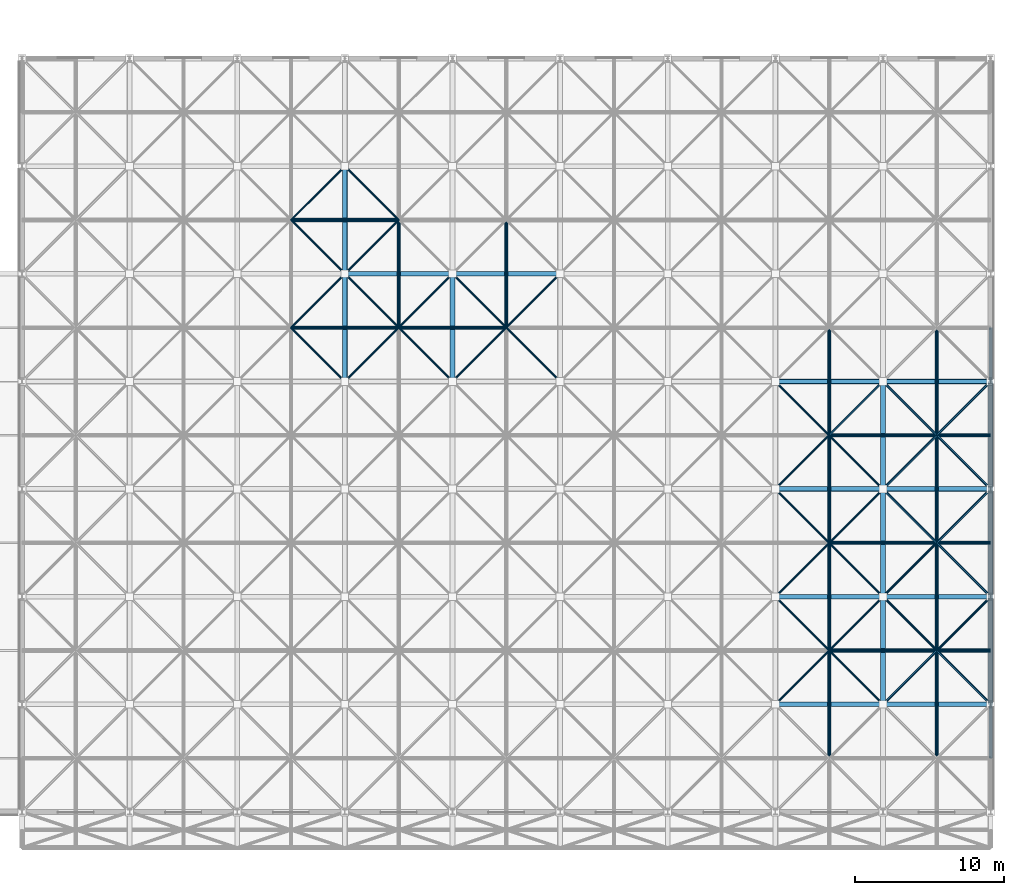
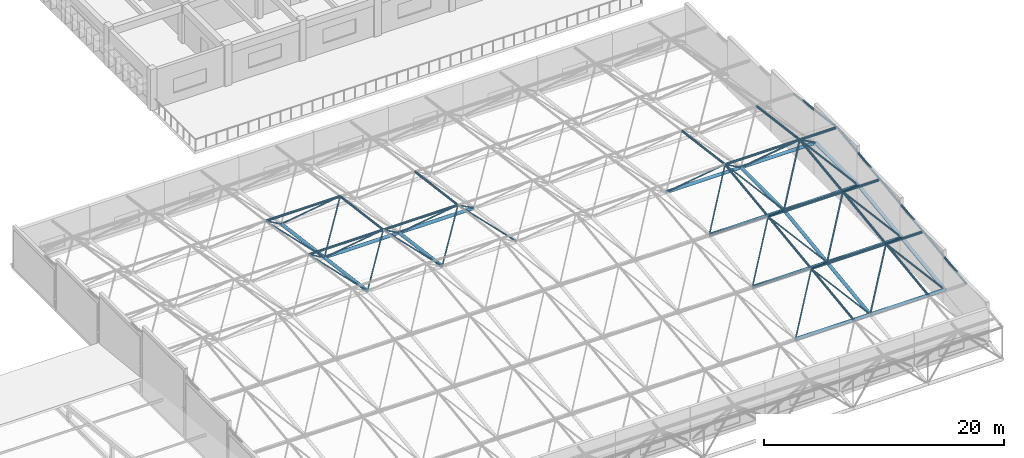
# One storey, part 55 of 103: 80 members.
"""IFC4 building model written with IfcOpenShell, lengths in metres."""

from ifc_helpers import new_model, si_unit, direction, frame, origin, origin_2d, place, context, subcontext, project, spatial, hollow_circle, extrude, material, material_profile, profile_set, type_object, element, save


model = new_model("IFC4")

# Units and contexts
model_context = context("Model", 3, precision=1e-05, world=origin(), true_north=direction((0.0, 1.0)))
body_context = subcontext(model_context, "Body", "Model", "MODEL_VIEW")
ifc_project = project(units=[si_unit("LENGTHUNIT", "METRE"), si_unit("AREAUNIT", "SQUARE_METRE"), si_unit("VOLUMEUNIT", "CUBIC_METRE"), si_unit("PLANEANGLEUNIT", "RADIAN"), si_unit("MASSUNIT", "GRAM", prefix="KILO")], contexts=[model_context])

# Site, building, storey
site_placement = place(None, origin())
site = spatial("IfcSite", under=ifc_project, at=site_placement, CompositionType="ELEMENT")
building_placement = place(site_placement, origin())
building = spatial("IfcBuilding", under=site, at=building_placement, Name="Thalmaran Polytechnic", CompositionType="ELEMENT")
storey_placement = place(building_placement, frame((0.0, 0.0, 14.39990234375)))
storey = spatial("IfcBuildingStorey", under=building, at=storey_placement, Name="L03", CompositionType="ELEMENT", Elevation=14.39990234375)

# Members
ifc_material = material(Name="Steel S355", Category="steel")
ifc_material_profile_1 = material_profile(ifc_material, hollow_circle(Radius=0.161865234375, WallThickness=0.012451171875, at=origin_2d()), Name="CHS 323.9x12.5")
ifc_profile_set_1 = profile_set([ifc_material_profile_1], Name="Steel S355")
member_type_1 = type_object("IfcMemberType", Name="MB-SFC0", PredefinedType="CHORD", material=ifc_profile_set_1)
member_1_placement = place(storey_placement, frame((158.39990234375, 21.60009765625, 3.223876953125), z_axis=(1.0, 0.0, 0.0), x_axis=(0.0, 1.0, 0.0)))
element("IfcMember", 1, at=member_1_placement, inside=storey, type_object=member_type_1, Name="Space-Frame Bottom Chord X (7,4)", PredefinedType="CHORD", context=body_context, shape_type="SweptSolid", body=[
    extrude(hollow_circle(Radius=0.161865234375, WallThickness=0.012451171875, at=origin_2d()), origin(), (0.0, 0.0, 1.0), 7.2001953125),
])
member_2_placement = place(storey_placement, frame((165.60009765625, 21.60009765625, 3.223876953125), z_axis=(1.0, 0.0, 0.0), x_axis=(0.0, 1.0, 0.0)))
element("IfcMember", 2, at=member_2_placement, inside=storey, type_object=member_type_1, Name="Space-Frame Bottom Chord X (8,4)", PredefinedType="CHORD", context=body_context, shape_type="SweptSolid", body=[
    extrude(hollow_circle(Radius=0.161865234375, WallThickness=0.012451171875, at=origin_2d()), origin(), (0.0, 0.0, 1.0), 7.199951171875),
])
member_3_placement = place(storey_placement, frame((172.800048828125, 7.199951171875, 1.327880859375), z_axis=(0.0, 0.991442963585, 0.130540606544), x_axis=(-1.0, 0.0, 0.0)))
element("IfcMember", 3, at=member_3_placement, inside=storey, type_object=member_type_1, Name="Space-Frame Bottom Chord Y (9,2)", PredefinedType="CHORD", context=body_context, shape_type="SweptSolid", body=[
    extrude(hollow_circle(Radius=0.161865234375, WallThickness=0.012451171875, at=origin_2d()), origin(), (0.0, 0.0, 1.0), 7.26220703125),
])
member_4_placement = place(storey_placement, frame((172.800048828125, 14.39990234375, 2.27587890625), z_axis=(0.0, 0.991443536444, 0.130536255663), x_axis=(-1.0, 0.0, 0.0)))
element("IfcMember", 4, at=member_4_placement, inside=storey, type_object=member_type_1, Name="Space-Frame Bottom Chord Y (9,3)", PredefinedType="CHORD", context=body_context, shape_type="SweptSolid", body=[
    extrude(hollow_circle(Radius=0.161865234375, WallThickness=0.012451171875, at=origin_2d()), origin(), (0.0, 0.0, 1.0), 7.262451171875),
])
member_5_placement = place(storey_placement, frame((172.800048828125, 21.60009765625, 3.223876953125), z_axis=(0.0, 1.0, 0.0), x_axis=(-1.0, 0.0, 0.0)))
element("IfcMember", 5, at=member_5_placement, inside=storey, type_object=member_type_1, Name="Space-Frame Bottom Chord Y (9,4)", PredefinedType="CHORD", context=body_context, shape_type="SweptSolid", body=[
    extrude(hollow_circle(Radius=0.161865234375, WallThickness=0.012451171875, at=origin_2d()), origin(), (0.0, 0.0, 1.0), 7.199951171875),
])
ifc_material_profile_2 = material_profile(ifc_material, hollow_circle(Radius=0.122314453125, WallThickness=0.010009765625, at=origin_2d()), Name="CHS 244.5x10.0")
ifc_profile_set_2 = profile_set([ifc_material_profile_2], Name="Steel S355")
member_type_2 = type_object("IfcMemberType", Name="MB-SFC1", PredefinedType="CHORD", material=ifc_profile_set_2)
for number, where, z_axis, x_axis, name in (
    (6, (126.0, 32.39990234375, 6.019775390625), (1.0, 0.0, 0.0), (0.0, 1.0, 0.0), "Space-Frame Top Chord X (3,6)"),
    (7, (126.0, 39.60009765625, 5.072021484375), (1.0, 0.0, 0.0), (0.0, 1.0, 0.0), "Space-Frame Top Chord X (3,7)"),
    (8, (133.199951171875, 32.39990234375, 6.019775390625), (1.0, 0.0, 0.0), (0.0, 1.0, 0.0), "Space-Frame Top Chord X (4,6)"),
    (9, (162.0, 10.800048828125, 5.072021484375), (1.0, 0.0, 0.0), (0.0, 1.0, 0.0), "Space-Frame Top Chord X (8,3)"),
    (10, (162.0, 18.0, 6.019775390625), (1.0, 0.0, 0.0), (0.0, 1.0, 0.0), "Space-Frame Top Chord X (8,4)"),
    (11, (162.0, 25.199951171875, 6.9677734375), (1.0, 0.0, 0.0), (0.0, 1.0, 0.0), "Space-Frame Top Chord X (8,5)"),
):
    element("IfcMember", number, at=place(storey_placement, frame(where, z_axis=z_axis, x_axis=x_axis)), inside=storey, type_object=member_type_2, Name=name, PredefinedType="CHORD", context=body_context, shape_type="SweptSolid", body=[
        extrude(hollow_circle(Radius=0.122314453125, WallThickness=0.010009765625, at=origin_2d()), origin(), (0.0, 0.0, 1.0), 7.199951171875),
    ])
for number, where, z_axis, x_axis, name in (
    (12, (169.199951171875, 10.800048828125, 5.072021484375), (1.0, 0.0, 0.0), (0.0, 1.0, 0.0), "Space-Frame Top Chord X (9,3)"),
    (13, (169.199951171875, 18.0, 6.019775390625), (1.0, 0.0, 0.0), (0.0, 1.0, 0.0), "Space-Frame Top Chord X (9,4)"),
    (14, (169.199951171875, 25.199951171875, 6.9677734375), (1.0, 0.0, 0.0), (0.0, 1.0, 0.0), "Space-Frame Top Chord X (9,5)"),
):
    element("IfcMember", number, at=place(storey_placement, frame(where, z_axis=z_axis, x_axis=x_axis)), inside=storey, type_object=member_type_2, Name=name, PredefinedType="CHORD", context=body_context, shape_type="SweptSolid", body=[
        extrude(hollow_circle(Radius=0.122314453125, WallThickness=0.010009765625, at=origin_2d()), origin(), (0.0, 0.0, 1.0), 3.60009765625),
    ])
ifc_material_profile_3 = material_profile(ifc_material, hollow_circle(Radius=0.109619140625, WallThickness=0.010009765625, at=origin_2d()), Name="CHS 219.1x10.0")
ifc_profile_set_3 = profile_set([ifc_material_profile_3], Name="Steel S355")
member_type_3 = type_object("IfcMemberType", Name="MB-SFC2", PredefinedType="CHORD", material=ifc_profile_set_3)
for number, where, z_axis, x_axis, name in (
    (15, (133.199951171875, 32.39990234375, 6.019775390625), (0.0, 0.991447886651, -0.130503210904), (-1.0, 0.0, 0.0), "Space-Frame Top Chord Y (4,6)"),
    (16, (140.39990234375, 32.39990234375, 6.019775390625), (0.0, 0.991447886651, -0.130503210904), (-1.0, 0.0, 0.0), "Space-Frame Top Chord Y (5,6)"),
    (17, (162.0, 3.60009765625, 4.1240234375), (0.0, 0.991442963585, 0.130540606544), (-1.0, 0.0, 0.0), "Space-Frame Top Chord Y (8,2)"),
):
    element("IfcMember", number, at=place(storey_placement, frame(where, z_axis=z_axis, x_axis=x_axis)), inside=storey, type_object=member_type_3, Name=name, PredefinedType="CHORD", context=body_context, shape_type="SweptSolid", body=[
        extrude(hollow_circle(Radius=0.109619140625, WallThickness=0.010009765625, at=origin_2d()), origin(), (0.0, 0.0, 1.0), 7.26220703125),
    ])
member_6_placement = place(storey_placement, frame((162.0, 10.800048828125, 5.072021484375), z_axis=(0.0, 0.991447314079, 0.130507560722), x_axis=(-1.0, 0.0, 0.0)))
element("IfcMember", 18, at=member_6_placement, inside=storey, type_object=member_type_3, Name="Space-Frame Top Chord Y (8,3)", PredefinedType="CHORD", context=body_context, shape_type="SweptSolid", body=[
    extrude(hollow_circle(Radius=0.109619140625, WallThickness=0.010009765625, at=origin_2d()), origin(), (0.0, 0.0, 1.0), 7.261962890625),
])
for number, where, z_axis, x_axis, name in (
    (19, (162.0, 18.0, 6.019775390625), (0.0, 0.991442963585, 0.130540606544), (-1.0, 0.0, 0.0), "Space-Frame Top Chord Y (8,4)"),
    (20, (162.0, 25.199951171875, 6.9677734375), (0.0, 0.991442963585, -0.130540606544), (-1.0, 0.0, 0.0), "Space-Frame Top Chord Y (8,5)"),
    (21, (169.199951171875, 3.60009765625, 4.1240234375), (0.0, 0.991442963585, 0.130540606544), (-1.0, 0.0, 0.0), "Space-Frame Top Chord Y (9,2)"),
):
    element("IfcMember", number, at=place(storey_placement, frame(where, z_axis=z_axis, x_axis=x_axis)), inside=storey, type_object=member_type_3, Name=name, PredefinedType="CHORD", context=body_context, shape_type="SweptSolid", body=[
        extrude(hollow_circle(Radius=0.109619140625, WallThickness=0.010009765625, at=origin_2d()), origin(), (0.0, 0.0, 1.0), 7.26220703125),
    ])
member_7_placement = place(storey_placement, frame((169.199951171875, 10.800048828125, 5.072021484375), z_axis=(0.0, 0.991447314079, 0.130507560722), x_axis=(-1.0, 0.0, 0.0)))
element("IfcMember", 22, at=member_7_placement, inside=storey, type_object=member_type_3, Name="Space-Frame Top Chord Y (9,3)", PredefinedType="CHORD", context=body_context, shape_type="SweptSolid", body=[
    extrude(hollow_circle(Radius=0.109619140625, WallThickness=0.010009765625, at=origin_2d()), origin(), (0.0, 0.0, 1.0), 7.261962890625),
])
for number, where, z_axis, x_axis, name in (
    (23, (169.199951171875, 18.0, 6.019775390625), (0.0, 0.991442963585, 0.130540606544), (-1.0, 0.0, 0.0), "Space-Frame Top Chord Y (9,4)"),
    (24, (169.199951171875, 25.199951171875, 6.9677734375), (0.0, 0.991442963585, -0.130540606544), (-1.0, 0.0, 0.0), "Space-Frame Top Chord Y (9,5)"),
    (25, (172.800048828125, 3.60009765625, 4.1240234375), (0.0, 0.991442963585, 0.130540606544), (-1.0, 0.0, 0.0), "Space-Frame Top Chord Y (10,2)"),
):
    element("IfcMember", number, at=place(storey_placement, frame(where, z_axis=z_axis, x_axis=x_axis)), inside=storey, type_object=member_type_3, Name=name, PredefinedType="CHORD", context=body_context, shape_type="SweptSolid", body=[
        extrude(hollow_circle(Radius=0.109619140625, WallThickness=0.010009765625, at=origin_2d()), origin(), (0.0, 0.0, 1.0), 7.26220703125),
    ])
member_8_placement = place(storey_placement, frame((172.800048828125, 10.800048828125, 5.072021484375), z_axis=(0.0, 0.991447314079, 0.130507560722), x_axis=(-1.0, 0.0, 0.0)))
element("IfcMember", 26, at=member_8_placement, inside=storey, type_object=member_type_3, Name="Space-Frame Top Chord Y (10,3)", PredefinedType="CHORD", context=body_context, shape_type="SweptSolid", body=[
    extrude(hollow_circle(Radius=0.109619140625, WallThickness=0.010009765625, at=origin_2d()), origin(), (0.0, 0.0, 1.0), 7.261962890625),
])
for number, where, z_axis, x_axis, name in (
    (27, (172.800048828125, 18.0, 6.019775390625), (0.0, 0.991442963585, 0.130540606544), (-1.0, 0.0, 0.0), "Space-Frame Top Chord Y (10,4)"),
    (28, (172.800048828125, 25.199951171875, 6.9677734375), (0.0, 0.991442963585, -0.130540606544), (-1.0, 0.0, 0.0), "Space-Frame Top Chord Y (10,5)"),
):
    element("IfcMember", number, at=place(storey_placement, frame(where, z_axis=z_axis, x_axis=x_axis)), inside=storey, type_object=member_type_3, Name=name, PredefinedType="CHORD", context=body_context, shape_type="SweptSolid", body=[
        extrude(hollow_circle(Radius=0.109619140625, WallThickness=0.010009765625, at=origin_2d()), origin(), (0.0, 0.0, 1.0), 7.26220703125),
    ])
ifc_material_profile_4 = material_profile(ifc_material, hollow_circle(Radius=0.161865234375, WallThickness=0.012451171875, at=origin_2d()), Name="CHS 323.9x12.5")
ifc_profile_set_4 = profile_set([ifc_material_profile_4], Name="Steel S355")
member_type_4 = type_object("IfcMemberType", Name="MB-SFC4", PredefinedType="CHORD", material=ifc_profile_set_4)
member_9_placement = place(storey_placement, frame((129.60009765625, 28.800048828125, 3.223876953125), z_axis=(0.0, 0.991442963585, -0.130540606544), x_axis=(-1.0, 0.0, 0.0)))
element("IfcMember", 29, at=member_9_placement, inside=storey, type_object=member_type_4, Name="Space-Frame Bottom Chord Y (3,5)", PredefinedType="CHORD", context=body_context, shape_type="SweptSolid", body=[
    extrude(hollow_circle(Radius=0.161865234375, WallThickness=0.012451171875, at=origin_2d()), origin(), (0.0, 0.0, 1.0), 7.26220703125),
])
member_10_placement = place(storey_placement, frame((129.60009765625, 36.0, 2.27587890625), z_axis=(1.0, 0.0, 0.0), x_axis=(0.0, 1.0, 0.0)))
element("IfcMember", 30, at=member_10_placement, inside=storey, type_object=member_type_4, Name="Space-Frame Bottom Chord X (3,6)", PredefinedType="CHORD", context=body_context, shape_type="SweptSolid", body=[
    extrude(hollow_circle(Radius=0.161865234375, WallThickness=0.012451171875, at=origin_2d()), origin(), (0.0, 0.0, 1.0), 7.199951171875),
])
for number, where, z_axis, x_axis, name in (
    (31, (129.60009765625, 36.0, 2.27587890625), (0.0, 0.991442963585, -0.130540606544), (-1.0, 0.0, 0.0), "Space-Frame Bottom Chord Y (3,6)"),
    (32, (136.800048828125, 28.800048828125, 3.223876953125), (0.0, 0.991442963585, -0.130540606544), (-1.0, 0.0, 0.0), "Space-Frame Bottom Chord Y (4,5)"),
):
    element("IfcMember", number, at=place(storey_placement, frame(where, z_axis=z_axis, x_axis=x_axis)), inside=storey, type_object=member_type_4, Name=name, PredefinedType="CHORD", context=body_context, shape_type="SweptSolid", body=[
        extrude(hollow_circle(Radius=0.161865234375, WallThickness=0.012451171875, at=origin_2d()), origin(), (0.0, 0.0, 1.0), 7.26220703125),
    ])
member_11_placement = place(storey_placement, frame((136.800048828125, 36.0, 2.27587890625), z_axis=(1.0, 0.0, 0.0), x_axis=(0.0, 1.0, 0.0)))
element("IfcMember", 33, at=member_11_placement, inside=storey, type_object=member_type_4, Name="Space-Frame Bottom Chord X (4,6)", PredefinedType="CHORD", context=body_context, shape_type="SweptSolid", body=[
    extrude(hollow_circle(Radius=0.161865234375, WallThickness=0.012451171875, at=origin_2d()), origin(), (0.0, 0.0, 1.0), 7.199951171875),
])
for number, where, z_axis, x_axis, name in (
    (34, (158.39990234375, 7.199951171875, 1.327880859375), (1.0, 0.0, 0.0), (0.0, 1.0, 0.0), "Space-Frame Bottom Chord X (7,2)"),
    (35, (158.39990234375, 14.39990234375, 2.27587890625), (1.0, 0.0, 0.0), (0.0, 1.0, 0.0), "Space-Frame Bottom Chord X (7,3)"),
    (36, (158.39990234375, 28.800048828125, 3.223876953125), (1.0, 0.0, 0.0), (0.0, 1.0, 0.0), "Space-Frame Bottom Chord X (7,5)"),
):
    element("IfcMember", number, at=place(storey_placement, frame(where, z_axis=z_axis, x_axis=x_axis)), inside=storey, type_object=member_type_4, Name=name, PredefinedType="CHORD", context=body_context, shape_type="SweptSolid", body=[
        extrude(hollow_circle(Radius=0.161865234375, WallThickness=0.012451171875, at=origin_2d()), origin(), (0.0, 0.0, 1.0), 7.2001953125),
    ])
member_12_placement = place(storey_placement, frame((165.60009765625, 7.199951171875, 1.327880859375), z_axis=(1.0, 0.0, 0.0), x_axis=(0.0, 1.0, 0.0)))
element("IfcMember", 37, at=member_12_placement, inside=storey, type_object=member_type_4, Name="Space-Frame Bottom Chord X (8,2)", PredefinedType="CHORD", context=body_context, shape_type="SweptSolid", body=[
    extrude(hollow_circle(Radius=0.161865234375, WallThickness=0.012451171875, at=origin_2d()), origin(), (0.0, 0.0, 1.0), 7.199951171875),
])
member_13_placement = place(storey_placement, frame((165.60009765625, 7.199951171875, 1.327880859375), z_axis=(0.0, 0.991442963585, 0.130540606544), x_axis=(-1.0, 0.0, 0.0)))
element("IfcMember", 38, at=member_13_placement, inside=storey, type_object=member_type_4, Name="Space-Frame Bottom Chord Y (8,2)", PredefinedType="CHORD", context=body_context, shape_type="SweptSolid", body=[
    extrude(hollow_circle(Radius=0.161865234375, WallThickness=0.012451171875, at=origin_2d()), origin(), (0.0, 0.0, 1.0), 7.26220703125),
])
member_14_placement = place(storey_placement, frame((165.60009765625, 14.39990234375, 2.27587890625), z_axis=(1.0, 0.0, 0.0), x_axis=(0.0, 1.0, 0.0)))
element("IfcMember", 39, at=member_14_placement, inside=storey, type_object=member_type_4, Name="Space-Frame Bottom Chord X (8,3)", PredefinedType="CHORD", context=body_context, shape_type="SweptSolid", body=[
    extrude(hollow_circle(Radius=0.161865234375, WallThickness=0.012451171875, at=origin_2d()), origin(), (0.0, 0.0, 1.0), 7.199951171875),
])
member_15_placement = place(storey_placement, frame((165.60009765625, 14.39990234375, 2.27587890625), z_axis=(0.0, 0.991443536444, 0.130536255663), x_axis=(-1.0, 0.0, 0.0)))
element("IfcMember", 40, at=member_15_placement, inside=storey, type_object=member_type_4, Name="Space-Frame Bottom Chord Y (8,3)", PredefinedType="CHORD", context=body_context, shape_type="SweptSolid", body=[
    extrude(hollow_circle(Radius=0.161865234375, WallThickness=0.012451171875, at=origin_2d()), origin(), (0.0, 0.0, 1.0), 7.262451171875),
])
for number, where, z_axis, x_axis, name in (
    (41, (165.60009765625, 21.60009765625, 3.223876953125), (0.0, 1.0, 0.0), (-1.0, 0.0, 0.0), "Space-Frame Bottom Chord Y (8,4)"),
    (42, (165.60009765625, 28.800048828125, 3.223876953125), (1.0, 0.0, 0.0), (0.0, 1.0, 0.0), "Space-Frame Bottom Chord X (8,5)"),
):
    element("IfcMember", number, at=place(storey_placement, frame(where, z_axis=z_axis, x_axis=x_axis)), inside=storey, type_object=member_type_4, Name=name, PredefinedType="CHORD", context=body_context, shape_type="SweptSolid", body=[
        extrude(hollow_circle(Radius=0.161865234375, WallThickness=0.012451171875, at=origin_2d()), origin(), (0.0, 0.0, 1.0), 7.199951171875),
    ])
ifc_material_profile_5 = material_profile(ifc_material, hollow_circle(Radius=0.084228515625, WallThickness=0.008056640625, at=origin_2d()), Name="CHS 168.3x8.0")
ifc_profile_set_5 = profile_set([ifc_material_profile_5], Name="Steel S355")
member_type_5 = type_object("IfcMemberType", Name="MB-SFD1", PredefinedType="BRACE", material=ifc_profile_set_5)
member_16_placement = place(storey_placement, frame((165.60009765625, 7.199951171875, 1.327880859375), z_axis=(0.569626757247, 0.569665389106, 0.592458185768), x_axis=(-0.707130757816, 0.707082803744, 0.0)))
element("IfcMember", 43, at=member_16_placement, inside=storey, type_object=member_type_5, Name="Space-Frame Web Diagonal (8,2)-1", PredefinedType="BRACE", context=body_context, shape_type="SweptSolid", body=[
    extrude(hollow_circle(Radius=0.084228515625, WallThickness=0.008056640625, at=origin_2d()), origin(), (0.0, 0.0, 1.0), 6.319580078125),
])
member_17_placement = place(storey_placement, frame((172.800048828125, 7.199951171875, 1.327880859375), z_axis=(-0.569652853186, 0.569652853186, 0.592445148275), x_axis=(-0.707106781187, -0.707106781187, 0.0)))
element("IfcMember", 44, at=member_17_placement, inside=storey, type_object=member_type_5, Name="Space-Frame Web Diagonal (8,2)-2", PredefinedType="BRACE", context=body_context, shape_type="SweptSolid", body=[
    extrude(hollow_circle(Radius=0.084228515625, WallThickness=0.008056640625, at=origin_2d()), origin(), (0.0, 0.0, 1.0), 6.31982421875),
])
for number, where, z_axis, x_axis, name in (
    (45, (165.60009765625, 14.39990234375, 2.27587890625), (0.619777888784, -0.619777888784, 0.481404961699), (0.707106781187, 0.707106781187, 0.0), "Space-Frame Web Diagonal (8,2)-3"),
    (46, (172.800048828125, 14.39990234375, 2.27587890625), (-0.619803774917, -0.619761742923, 0.481392420597), (0.707082803744, -0.707130757816, 0.0), "Space-Frame Web Diagonal (8,2)-4"),
):
    element("IfcMember", number, at=place(storey_placement, frame(where, z_axis=z_axis, x_axis=x_axis)), inside=storey, type_object=member_type_5, Name=name, PredefinedType="BRACE", context=body_context, shape_type="SweptSolid", body=[
        extrude(hollow_circle(Radius=0.084228515625, WallThickness=0.008056640625, at=origin_2d()), origin(), (0.0, 0.0, 1.0), 5.808349609375),
    ])
for number, where, z_axis, x_axis, name in (
    (47, (165.60009765625, 14.39990234375, 2.27587890625), (0.569639794751, 0.569678427494, 0.592433113089), (-0.707130757816, 0.707082803744, 0.0), "Space-Frame Web Diagonal (8,3)-1"),
    (48, (172.800048828125, 14.39990234375, 2.27587890625), (-0.569665890713, 0.569665890713, 0.592420075552), (-0.707106781187, -0.707106781187, 0.0), "Space-Frame Web Diagonal (8,3)-2"),
):
    element("IfcMember", number, at=place(storey_placement, frame(where, z_axis=z_axis, x_axis=x_axis)), inside=storey, type_object=member_type_5, Name=name, PredefinedType="BRACE", context=body_context, shape_type="SweptSolid", body=[
        extrude(hollow_circle(Radius=0.084228515625, WallThickness=0.008056640625, at=origin_2d()), origin(), (0.0, 0.0, 1.0), 6.319580078125),
    ])
member_18_placement = place(storey_placement, frame((165.60009765625, 21.60009765625, 3.223876953125), z_axis=(0.619774282943, -0.619816315787, 0.481360128061), x_axis=(0.707130757816, 0.707082803744, 0.0)))
element("IfcMember", 49, at=member_18_placement, inside=storey, type_object=member_type_5, Name="Space-Frame Web Diagonal (8,3)-3", PredefinedType="BRACE", context=body_context, shape_type="SweptSolid", body=[
    extrude(hollow_circle(Radius=0.084228515625, WallThickness=0.008056640625, at=origin_2d()), origin(), (0.0, 0.0, 1.0), 5.808349609375),
])
member_19_placement = place(storey_placement, frame((172.800048828125, 21.60009765625, 3.223876953125), z_axis=(-0.619800169112, -0.619800169112, 0.481347588273), x_axis=(0.707106781187, -0.707106781187, 0.0)))
element("IfcMember", 50, at=member_19_placement, inside=storey, type_object=member_type_5, Name="Space-Frame Web Diagonal (8,3)-4", PredefinedType="BRACE", context=body_context, shape_type="SweptSolid", body=[
    extrude(hollow_circle(Radius=0.084228515625, WallThickness=0.008056640625, at=origin_2d()), origin(), (0.0, 0.0, 1.0), 5.80859375),
])
member_20_placement = place(storey_placement, frame((165.60009765625, 21.60009765625, 3.223876953125), z_axis=(0.569652331509, 0.569652331509, 0.592446151488), x_axis=(-0.707106781187, 0.707106781187, 0.0)))
element("IfcMember", 51, at=member_20_placement, inside=storey, type_object=member_type_5, Name="Space-Frame Web Diagonal (8,4)-1", PredefinedType="BRACE", context=body_context, shape_type="SweptSolid", body=[
    extrude(hollow_circle(Radius=0.084228515625, WallThickness=0.008056640625, at=origin_2d()), origin(), (0.0, 0.0, 1.0), 6.3193359375),
])
for number, where, z_axis, x_axis, name in (
    (52, (172.800048828125, 21.60009765625, 3.223876953125), (-0.569678427494, 0.569639794751, 0.592433113089), (-0.707082803744, -0.707130757816, 0.0), "Space-Frame Web Diagonal (8,4)-2"),
    (53, (165.60009765625, 28.800048828125, 3.223876953125), (0.569639794751, -0.569678427494, 0.592433113089), (0.707130757816, 0.707082803744, 0.0), "Space-Frame Web Diagonal (8,4)-3"),
    (54, (172.800048828125, 28.800048828125, 3.223876953125), (-0.569665890713, -0.569665890713, 0.592420075552), (0.707106781187, -0.707106781187, 0.0), "Space-Frame Web Diagonal (8,4)-4"),
):
    element("IfcMember", number, at=place(storey_placement, frame(where, z_axis=z_axis, x_axis=x_axis)), inside=storey, type_object=member_type_5, Name=name, PredefinedType="BRACE", context=body_context, shape_type="SweptSolid", body=[
        extrude(hollow_circle(Radius=0.084228515625, WallThickness=0.008056640625, at=origin_2d()), origin(), (0.0, 0.0, 1.0), 6.319580078125),
    ])
ifc_material_profile_6 = material_profile(ifc_material, hollow_circle(Radius=0.06982421875, WallThickness=0.008056640625, at=origin_2d()), Name="CHS 139.7x8.0")
ifc_profile_set_6 = profile_set([ifc_material_profile_6], Name="Steel S355")
member_type_6 = type_object("IfcMemberType", Name="MB-SFD2", PredefinedType="BRACE", material=ifc_profile_set_6)
member_21_placement = place(storey_placement, frame((129.60009765625, 28.800048828125, 3.223876953125), z_axis=(-0.619816315787, 0.619774282943, 0.481360128061), x_axis=(-0.707082803744, -0.707130757816, 0.0)))
element("IfcMember", 55, at=member_21_placement, inside=storey, type_object=member_type_6, Name="Space-Frame Web Diagonal (2,5)-2", PredefinedType="BRACE", context=body_context, shape_type="SweptSolid", body=[
    extrude(hollow_circle(Radius=0.06982421875, WallThickness=0.008056640625, at=origin_2d()), origin(), (0.0, 0.0, 1.0), 5.808349609375),
])
member_22_placement = place(storey_placement, frame((129.60009765625, 36.0, 2.27587890625), z_axis=(-0.569665890713, -0.569665890713, 0.592420075552), x_axis=(0.707106781187, -0.707106781187, 0.0)))
element("IfcMember", 56, at=member_22_placement, inside=storey, type_object=member_type_6, Name="Space-Frame Web Diagonal (2,5)-4", PredefinedType="BRACE", context=body_context, shape_type="SweptSolid", body=[
    extrude(hollow_circle(Radius=0.06982421875, WallThickness=0.008056640625, at=origin_2d()), origin(), (0.0, 0.0, 1.0), 6.319580078125),
])
member_23_placement = place(storey_placement, frame((129.60009765625, 36.0, 2.27587890625), z_axis=(-0.619787629222, 0.619787629222, 0.481379880475), x_axis=(-0.707106781187, -0.707106781187, 0.0)))
element("IfcMember", 57, at=member_23_placement, inside=storey, type_object=member_type_6, Name="Space-Frame Web Diagonal (2,6)-2", PredefinedType="BRACE", context=body_context, shape_type="SweptSolid", body=[
    extrude(hollow_circle(Radius=0.06982421875, WallThickness=0.008056640625, at=origin_2d()), origin(), (0.0, 0.0, 1.0), 5.80859375),
])
member_24_placement = place(storey_placement, frame((129.60009765625, 43.199951171875, 1.327880859375), z_axis=(-0.569665389106, -0.569626757247, 0.592458185768), x_axis=(0.707082803744, -0.707130757816, 0.0)))
element("IfcMember", 58, at=member_24_placement, inside=storey, type_object=member_type_6, Name="Space-Frame Web Diagonal (2,6)-4", PredefinedType="BRACE", context=body_context, shape_type="SweptSolid", body=[
    extrude(hollow_circle(Radius=0.06982421875, WallThickness=0.008056640625, at=origin_2d()), origin(), (0.0, 0.0, 1.0), 6.319580078125),
])
member_25_placement = place(storey_placement, frame((129.60009765625, 28.800048828125, 3.223876953125), z_axis=(0.619790429784, 0.619790429784, 0.481372668829), x_axis=(-0.707106781187, 0.707106781187, 0.0)))
element("IfcMember", 59, at=member_25_placement, inside=storey, type_object=member_type_6, Name="Space-Frame Web Diagonal (3,5)-1", PredefinedType="BRACE", context=body_context, shape_type="SweptSolid", body=[
    extrude(hollow_circle(Radius=0.06982421875, WallThickness=0.008056640625, at=origin_2d()), origin(), (0.0, 0.0, 1.0), 5.80810546875),
])
member_26_placement = place(storey_placement, frame((136.800048828125, 28.800048828125, 3.223876953125), z_axis=(-0.619816315787, 0.619774282943, 0.481360128061), x_axis=(-0.707082803744, -0.707130757816, 0.0)))
element("IfcMember", 60, at=member_26_placement, inside=storey, type_object=member_type_6, Name="Space-Frame Web Diagonal (3,5)-2", PredefinedType="BRACE", context=body_context, shape_type="SweptSolid", body=[
    extrude(hollow_circle(Radius=0.06982421875, WallThickness=0.008056640625, at=origin_2d()), origin(), (0.0, 0.0, 1.0), 5.808349609375),
])
for number, where, z_axis, x_axis, name in (
    (61, (129.60009765625, 36.0, 2.27587890625), (0.569639794751, -0.569678427494, 0.592433113089), (0.707130757816, 0.707082803744, 0.0), "Space-Frame Web Diagonal (3,5)-3"),
    (62, (136.800048828125, 36.0, 2.27587890625), (-0.569665890713, -0.569665890713, 0.592420075552), (0.707106781187, -0.707106781187, 0.0), "Space-Frame Web Diagonal (3,5)-4"),
):
    element("IfcMember", number, at=place(storey_placement, frame(where, z_axis=z_axis, x_axis=x_axis)), inside=storey, type_object=member_type_6, Name=name, PredefinedType="BRACE", context=body_context, shape_type="SweptSolid", body=[
        extrude(hollow_circle(Radius=0.06982421875, WallThickness=0.008056640625, at=origin_2d()), origin(), (0.0, 0.0, 1.0), 6.319580078125),
    ])
member_27_placement = place(storey_placement, frame((129.60009765625, 36.0, 2.27587890625), z_axis=(0.619761742923, 0.619803774917, 0.481392420597), x_axis=(-0.707130757816, 0.707082803744, 0.0)))
element("IfcMember", 63, at=member_27_placement, inside=storey, type_object=member_type_6, Name="Space-Frame Web Diagonal (3,6)-1", PredefinedType="BRACE", context=body_context, shape_type="SweptSolid", body=[
    extrude(hollow_circle(Radius=0.06982421875, WallThickness=0.008056640625, at=origin_2d()), origin(), (0.0, 0.0, 1.0), 5.808349609375),
])
member_28_placement = place(storey_placement, frame((129.60009765625, 43.199951171875, 1.327880859375), z_axis=(0.569639293145, -0.569639293145, 0.592471224121), x_axis=(0.707106781187, 0.707106781187, 0.0)))
element("IfcMember", 64, at=member_28_placement, inside=storey, type_object=member_type_6, Name="Space-Frame Web Diagonal (3,6)-3", PredefinedType="BRACE", context=body_context, shape_type="SweptSolid", body=[
    extrude(hollow_circle(Radius=0.06982421875, WallThickness=0.008056640625, at=origin_2d()), origin(), (0.0, 0.0, 1.0), 6.319580078125),
])
member_29_placement = place(storey_placement, frame((136.800048828125, 28.800048828125, 3.223876953125), z_axis=(0.619790429784, 0.619790429784, 0.481372668829), x_axis=(-0.707106781187, 0.707106781187, 0.0)))
element("IfcMember", 65, at=member_29_placement, inside=storey, type_object=member_type_6, Name="Space-Frame Web Diagonal (4,5)-1", PredefinedType="BRACE", context=body_context, shape_type="SweptSolid", body=[
    extrude(hollow_circle(Radius=0.06982421875, WallThickness=0.008056640625, at=origin_2d()), origin(), (0.0, 0.0, 1.0), 5.80810546875),
])
member_30_placement = place(storey_placement, frame((144.0, 28.800048828125, 3.223876953125), z_axis=(-0.619816315787, 0.619774282943, 0.481360128061), x_axis=(-0.707082803744, -0.707130757816, 0.0)))
element("IfcMember", 66, at=member_30_placement, inside=storey, type_object=member_type_6, Name="Space-Frame Web Diagonal (4,5)-2", PredefinedType="BRACE", context=body_context, shape_type="SweptSolid", body=[
    extrude(hollow_circle(Radius=0.06982421875, WallThickness=0.008056640625, at=origin_2d()), origin(), (0.0, 0.0, 1.0), 5.808349609375),
])
for number, where, z_axis, x_axis, name in (
    (67, (136.800048828125, 36.0, 2.27587890625), (0.569639794751, -0.569678427494, 0.592433113089), (0.707130757816, 0.707082803744, 0.0), "Space-Frame Web Diagonal (4,5)-3"),
    (68, (144.0, 36.0, 2.27587890625), (-0.569665890713, -0.569665890713, 0.592420075552), (0.707106781187, -0.707106781187, 0.0), "Space-Frame Web Diagonal (4,5)-4"),
):
    element("IfcMember", number, at=place(storey_placement, frame(where, z_axis=z_axis, x_axis=x_axis)), inside=storey, type_object=member_type_6, Name=name, PredefinedType="BRACE", context=body_context, shape_type="SweptSolid", body=[
        extrude(hollow_circle(Radius=0.06982421875, WallThickness=0.008056640625, at=origin_2d()), origin(), (0.0, 0.0, 1.0), 6.319580078125),
    ])
for number, where, z_axis, x_axis, name in (
    (69, (158.39990234375, 7.199951171875, 1.327880859375), (0.569652853186, 0.569652853186, 0.592445148275), (-0.707106781187, 0.707106781187, 0.0), "Space-Frame Web Diagonal (7,2)-1"),
    (70, (165.60009765625, 7.199951171875, 1.327880859375), (-0.569652853186, 0.569652853186, 0.592445148275), (-0.707106781187, -0.707106781187, 0.0), "Space-Frame Web Diagonal (7,2)-2"),
):
    element("IfcMember", number, at=place(storey_placement, frame(where, z_axis=z_axis, x_axis=x_axis)), inside=storey, type_object=member_type_6, Name=name, PredefinedType="BRACE", context=body_context, shape_type="SweptSolid", body=[
        extrude(hollow_circle(Radius=0.06982421875, WallThickness=0.008056640625, at=origin_2d()), origin(), (0.0, 0.0, 1.0), 6.31982421875),
    ])
for number, where, z_axis, x_axis, name in (
    (71, (158.39990234375, 14.39990234375, 2.27587890625), (0.619803774917, -0.619761742923, 0.481392420597), (0.707082803744, 0.707130757816, 0.0), "Space-Frame Web Diagonal (7,2)-3"),
    (72, (165.60009765625, 14.39990234375, 2.27587890625), (-0.619803774917, -0.619761742923, 0.481392420597), (0.707082803744, -0.707130757816, 0.0), "Space-Frame Web Diagonal (7,2)-4"),
):
    element("IfcMember", number, at=place(storey_placement, frame(where, z_axis=z_axis, x_axis=x_axis)), inside=storey, type_object=member_type_6, Name=name, PredefinedType="BRACE", context=body_context, shape_type="SweptSolid", body=[
        extrude(hollow_circle(Radius=0.06982421875, WallThickness=0.008056640625, at=origin_2d()), origin(), (0.0, 0.0, 1.0), 5.808349609375),
    ])
for number, where, z_axis, x_axis, name in (
    (73, (158.39990234375, 14.39990234375, 2.27587890625), (0.569665890713, 0.569665890713, 0.592420075552), (-0.707106781187, 0.707106781187, 0.0), "Space-Frame Web Diagonal (7,3)-1"),
    (74, (165.60009765625, 14.39990234375, 2.27587890625), (-0.569665890713, 0.569665890713, 0.592420075552), (-0.707106781187, -0.707106781187, 0.0), "Space-Frame Web Diagonal (7,3)-2"),
):
    element("IfcMember", number, at=place(storey_placement, frame(where, z_axis=z_axis, x_axis=x_axis)), inside=storey, type_object=member_type_6, Name=name, PredefinedType="BRACE", context=body_context, shape_type="SweptSolid", body=[
        extrude(hollow_circle(Radius=0.06982421875, WallThickness=0.008056640625, at=origin_2d()), origin(), (0.0, 0.0, 1.0), 6.319580078125),
    ])
for number, where, z_axis, x_axis, name in (
    (75, (158.39990234375, 21.60009765625, 3.223876953125), (0.619800169112, -0.619800169112, 0.481347588273), (0.707106781187, 0.707106781187, 0.0), "Space-Frame Web Diagonal (7,3)-3"),
    (76, (165.60009765625, 21.60009765625, 3.223876953125), (-0.619800169112, -0.619800169112, 0.481347588273), (0.707106781187, -0.707106781187, 0.0), "Space-Frame Web Diagonal (7,3)-4"),
):
    element("IfcMember", number, at=place(storey_placement, frame(where, z_axis=z_axis, x_axis=x_axis)), inside=storey, type_object=member_type_6, Name=name, PredefinedType="BRACE", context=body_context, shape_type="SweptSolid", body=[
        extrude(hollow_circle(Radius=0.06982421875, WallThickness=0.008056640625, at=origin_2d()), origin(), (0.0, 0.0, 1.0), 5.80859375),
    ])
for number, where, z_axis, x_axis, name in (
    (77, (158.39990234375, 21.60009765625, 3.223876953125), (0.569678427494, 0.569639794751, 0.592433113089), (-0.707082803744, 0.707130757816, 0.0), "Space-Frame Web Diagonal (7,4)-1"),
    (78, (165.60009765625, 21.60009765625, 3.223876953125), (-0.569678427494, 0.569639794751, 0.592433113089), (-0.707082803744, -0.707130757816, 0.0), "Space-Frame Web Diagonal (7,4)-2"),
    (79, (158.39990234375, 28.800048828125, 3.223876953125), (0.569665890713, -0.569665890713, 0.592420075552), (0.707106781187, 0.707106781187, 0.0), "Space-Frame Web Diagonal (7,4)-3"),
    (80, (165.60009765625, 28.800048828125, 3.223876953125), (-0.569665890713, -0.569665890713, 0.592420075552), (0.707106781187, -0.707106781187, 0.0), "Space-Frame Web Diagonal (7,4)-4"),
):
    element("IfcMember", number, at=place(storey_placement, frame(where, z_axis=z_axis, x_axis=x_axis)), inside=storey, type_object=member_type_6, Name=name, PredefinedType="BRACE", context=body_context, shape_type="SweptSolid", body=[
        extrude(hollow_circle(Radius=0.06982421875, WallThickness=0.008056640625, at=origin_2d()), origin(), (0.0, 0.0, 1.0), 6.319580078125),
    ])

save(model, "model.ifc")
